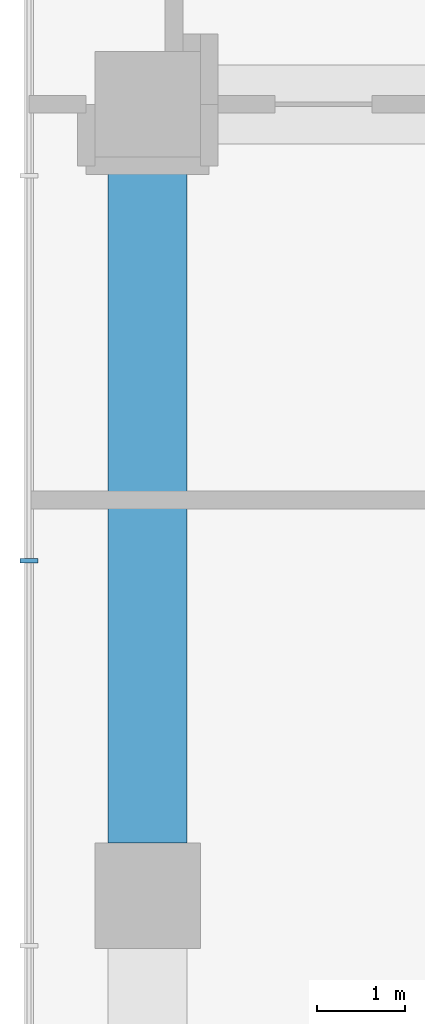
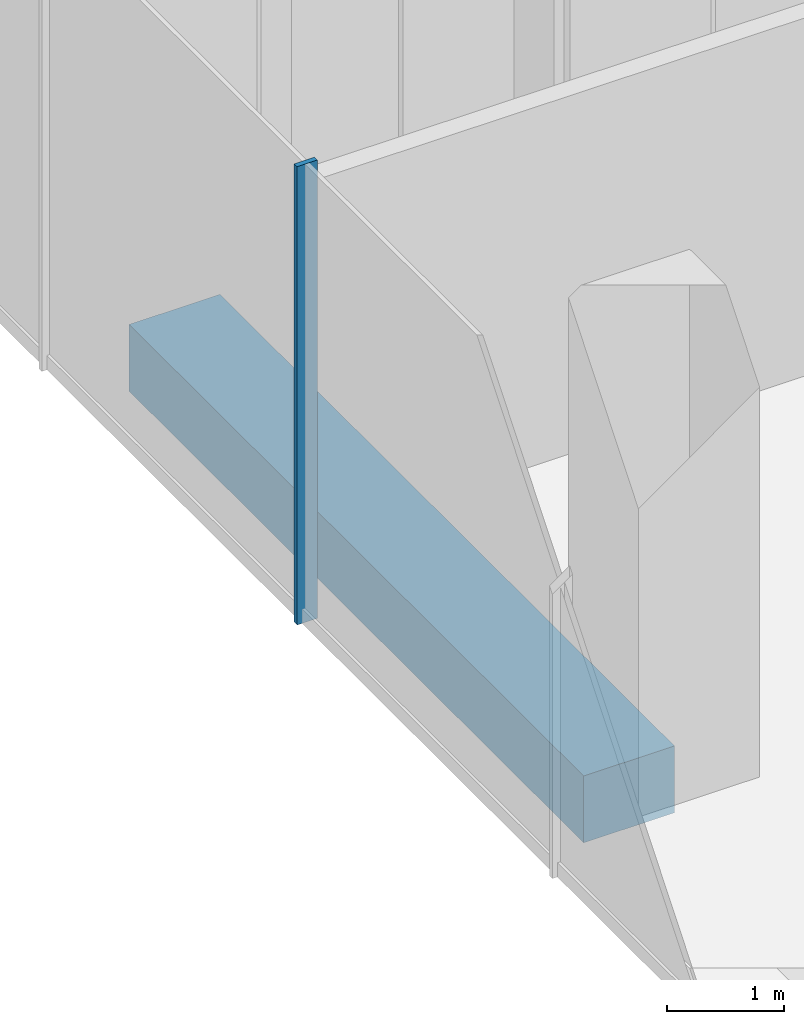
# One storey, part 8 of 42: 1 beam, 1 member, 1 element without a shape of its own.
"""IFC4 building model written with IfcOpenShell, lengths in metres."""

from ifc_helpers import new_model, si_unit, direction, frame, origin, origin_2d, place, context, subcontext, project, spatial, rectangle, extrude, material, layer, layer_set, material_profile, profile_set, type_object, element, aggregate, save


model = new_model("IFC4")

# Units and contexts
model_context = context("Model", 3, precision=1e-05, world=origin(), true_north=direction((0.0, 1.0)))
body_context = subcontext(model_context, "Body", "Model", "MODEL_VIEW")
ifc_project = project(units=[si_unit("LENGTHUNIT", "METRE"), si_unit("AREAUNIT", "SQUARE_METRE"), si_unit("VOLUMEUNIT", "CUBIC_METRE"), si_unit("PLANEANGLEUNIT", "RADIAN"), si_unit("MASSUNIT", "GRAM", prefix="KILO")], contexts=[model_context])

# Site, building, storey
site_placement = place(None, origin())
site = spatial("IfcSite", under=ifc_project, at=site_placement, CompositionType="ELEMENT")
building_placement = place(site_placement, origin())
building = spatial("IfcBuilding", under=site, at=building_placement, Name="Plateau Cross Towers", CompositionType="ELEMENT")
storey_placement = place(building_placement, frame((0.0, 0.0, 8.0)))
storey = spatial("IfcBuildingStorey", under=building, at=storey_placement, Name="L01", CompositionType="ELEMENT", Elevation=8.0)

# Curtain wall, member
ifc_material_1 = material(Name="Dark low-iron laminated glass", Category="glass")
ifc_layer = layer(ifc_material_1, 0.300048828125)
ifc_layer_set = layer_set([ifc_layer], Name="Dark low-iron laminated glass")
curtain_wall_type = type_object("IfcCurtainWallType", Name="Curtain wall structural silicone CW-C", PredefinedType="NOTDEFINED", material=ifc_layer_set)
curtain_wall_placement = place(storey_placement, origin())
curtain_wall = element("IfcCurtainWall", 1, at=curtain_wall_placement, inside=storey, type_object=curtain_wall_type, Name="ENV/P/L01/P-58_568", PredefinedType="NOTDEFINED")
ifc_material_2 = material(Name="Black anodised aluminium", Category="aluminium")
ifc_material_profile_1 = material_profile(ifc_material_2, rectangle(XDim=0.050048828125, YDim=0.199951171875, at=origin_2d()), Name="MULLION 50x200")
ifc_profile_set_1 = profile_set([ifc_material_profile_1], Name="Black anodised aluminium")
member_type = type_object("IfcMemberType", Name="Mullion 50x200 structural silicone", PredefinedType="MULLION", material=ifc_profile_set_1)
member_placement = place(storey_placement, frame((-5.85009765625, 21.81005859375, -0.35009765625), z_axis=(0.0, 0.0, 1.0), x_axis=(0.0, -1.0, 0.0)))
member = element("IfcMember", 2, at=member_placement, type_object=member_type, Name="CW-C mullion 9", PredefinedType="MULLION", context=body_context, shape_type="SweptSolid", body=[
    extrude(rectangle(XDim=0.050048828125, YDim=0.199951171875, at=origin_2d()), origin(), (0.0, 0.0, 1.0), 4.800048828125),
])
aggregate(curtain_wall, [member])

# Beam
ifc_material_3 = material(Name="Concrete C50/60", Category="concrete")
ifc_material_profile_2 = material_profile(ifc_material_3, rectangle(XDim=0.89990234375, YDim=0.699951171875, at=origin_2d()), Name="RC 900x700")
ifc_profile_set_2 = profile_set([ifc_material_profile_2], Name="Concrete C50/60")
beam_type = type_object("IfcBeamType", Name="Podium band beam RC 900x700", PredefinedType="BEAM", material=ifc_profile_set_2)
beam_placement = place(storey_placement, frame((-4.5, 18.60009765625, -0.699951171875), z_axis=(0.0, 1.0, 0.0), x_axis=(-1.0, 0.0, 0.0)))
element("IfcBeam", 3, at=beam_placement, inside=storey, type_object=beam_type, Name="PB97@L01", PredefinedType="BEAM", context=body_context, shape_type="SweptSolid", body=[
    extrude(rectangle(XDim=0.89990234375, YDim=0.699951171875, at=origin_2d()), origin(), (0.0, 0.0, 1.0), 7.7998046875),
])

save(model, "model.ifc")
